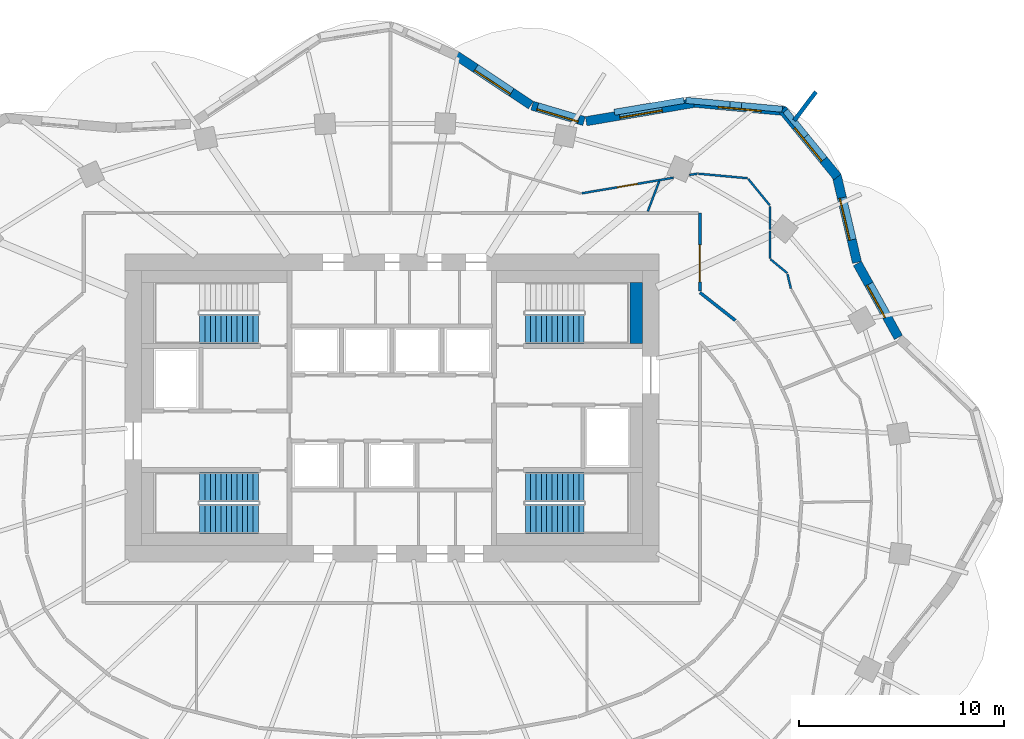
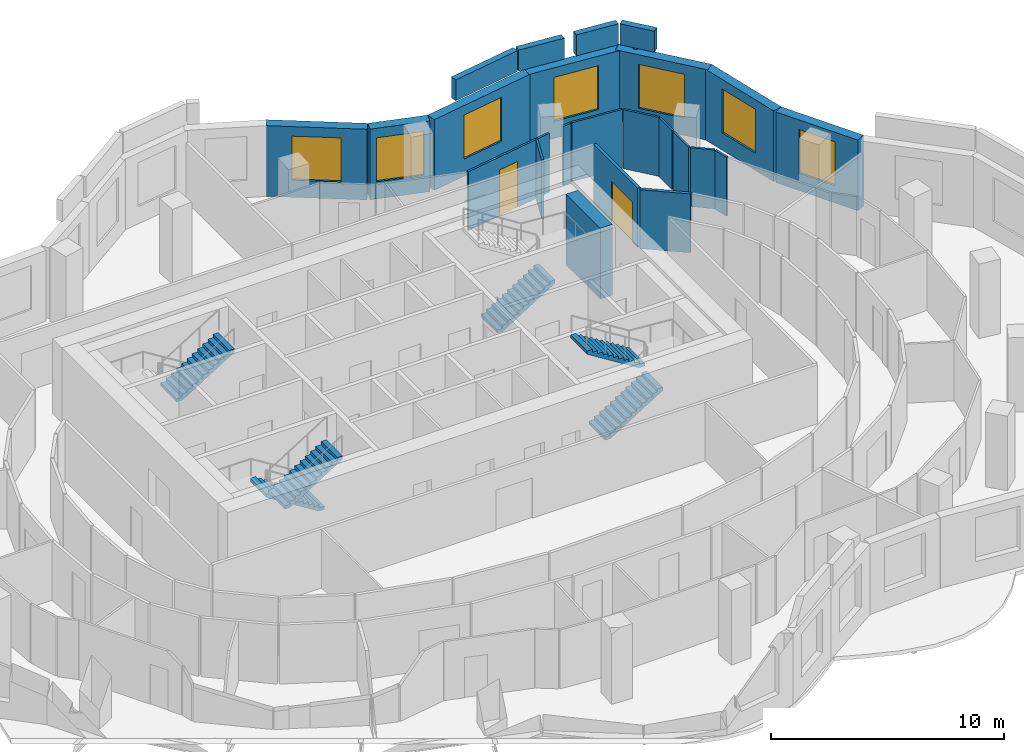
# One storey, part 9 of 11: 24 walls, 7 windows, 6 stair flights, 2 doors, 9 openings, 4 elements without a shape of their own.
"""IFC4 building model written with IfcOpenShell, lengths in metres."""

from ifc_helpers import new_model, si_unit, direction, frame, frame_2d, origin, place, context, subcontext, project, spatial, polyline, rectangle, outline, extrude, material, layer, layer_set, type_object, element, fill, aggregate, save


model = new_model("IFC4")

# Units and contexts
model_context = context("Model", 3, precision=1e-05, world=origin(), true_north=direction((0.0, 1.0)))
body_context = subcontext(model_context, "Body", "Model", "MODEL_VIEW")
ifc_project = project(units=[si_unit("LENGTHUNIT", "METRE"), si_unit("AREAUNIT", "SQUARE_METRE"), si_unit("VOLUMEUNIT", "CUBIC_METRE"), si_unit("PLANEANGLEUNIT", "RADIAN"), si_unit("MASSUNIT", "GRAM", prefix="KILO")], contexts=[model_context])

# Site, building, storey
site_placement = place(None, origin())
site = spatial("IfcSite", under=ifc_project, at=site_placement, CompositionType="ELEMENT")
building_placement = place(site_placement, origin())
building = spatial("IfcBuilding", under=site, at=building_placement, Name="Rubra Terraces Tower", CompositionType="ELEMENT")
storey_placement = place(building_placement, frame((0.0, 0.0, 185.699951171875)))
storey = spatial("IfcBuildingStorey", under=building, at=storey_placement, Name="L45", CompositionType="ELEMENT", Elevation=185.699951171875)

# Wall, opening, window
ifc_material_1 = material(Name="Brick masonry red-brown", Category="masonry")
ifc_layer_1 = layer(ifc_material_1, 0.449951171875)
ifc_layer_set_1 = layer_set([ifc_layer_1], Name="Brick masonry red-brown")
wall_type_1 = type_object("IfcWallType", Name="Brick facade wall 450", PredefinedType="SOLIDWALL", material=ifc_layer_set_1)
wall_1_placement = place(storey_placement, frame((24.662109375, 7.93896484375, 0.0), z_axis=(0.0, 0.0, 1.0), x_axis=(-0.485153910721, 0.874428775208, 0.0)))
wall_1 = element("IfcWall", 1, at=wall_1_placement, inside=storey, type_object=wall_type_1, Name="Facade wall L45 bay 3", PredefinedType="SOLIDWALL", context=body_context, shape_type="SweptSolid", body=[
    extrude(rectangle(XDim=4.1123046875, YDim=0.449951171875, at=frame_2d((2.05615234375, 0.0))), origin(), (0.0, 0.0, 1.0), 3.699951171875),
])
opening_1_placement = place(wall_1_placement, frame((1.15625, 0.0, 0.89990234375)))
opening_1 = element("IfcOpeningElement", 2, at=opening_1_placement, cuts=wall_1, Name="Opening W6B", PredefinedType="OPENING", context=body_context, shape_type="SweptSolid", body=[
    extrude(rectangle(XDim=1.800048828125, YDim=2.300048828125, at=frame_2d((0.89990234375, 1.14990234375))), frame((0.0, 0.23486328125, 0.0), z_axis=(0.0, -1.0, 0.0), x_axis=(1.0, 0.0, 0.0)), (0.0, 0.0, 1.0), 0.469970703125),
])
ifc_material_2 = material(Name="Clear glass in aluminium frame", Category="aluminium")
window_type_1 = type_object("IfcWindowType", Name="Fixed deep-set window at wind fin tall storey 1800 x 2300", PartitioningType="SINGLE_PANEL", PredefinedType="WINDOW", material=ifc_material_2)
window_1_placement = place(opening_1_placement, origin())
window_1 = element("IfcWindow", 3, at=window_1_placement, inside=storey, type_object=window_type_1, Name="Window L45 bay 3", OverallHeight=2.300048828125, OverallWidth=1.800048828125, PartitioningType="SINGLE_PANEL", PredefinedType="WINDOW", context=body_context, shape_type="SweptSolid", body=[
    extrude(rectangle(XDim=1.800048828125, YDim=2.300048828125, at=frame_2d((0.89990234375, 1.14990234375))), frame((0.0, 0.135009765625, 0.0), z_axis=(0.0, -1.0, 0.0), x_axis=(1.0, 0.0, 0.0)), (0.0, 0.0, 1.0), 0.06005859375),
])
fill(opening_1, window_1)

wall_2_placement = place(storey_placement, frame((22.646484375, 11.5859375, 0.0), z_axis=(0.0, 0.0, 1.0), x_axis=(-0.227925124198, 0.973678662475, 0.0)))
wall_2 = element("IfcWall", 4, at=wall_2_placement, inside=storey, type_object=wall_type_1, Name="Facade wall L45 bay 4", PredefinedType="SOLIDWALL", context=body_context, shape_type="SweptSolid", body=[
    extrude(rectangle(XDim=4.360595703125, YDim=0.449951171875, at=frame_2d((2.18017578125, 0.0))), origin(), (0.0, 0.0, 1.0), 3.699951171875),
])
opening_2_placement = place(wall_2_placement, frame((1.13037109375, 0.0, 0.89990234375)))
opening_2 = element("IfcOpeningElement", 5, at=opening_2_placement, cuts=wall_2, Name="Opening W1B", PredefinedType="OPENING", context=body_context, shape_type="SweptSolid", body=[
    extrude(rectangle(XDim=2.10009765625, YDim=2.300048828125, at=frame_2d((1.050048828125, 1.14990234375))), frame((0.0, 0.23486328125, 0.0), z_axis=(0.0, -1.0, 0.0), x_axis=(1.0, 0.0, 0.0)), (0.0, 0.0, 1.0), 0.469970703125),
])
window_type_2 = type_object("IfcWindowType", Name="Fixed deep-set window tall storey 2100 x 2300", PartitioningType="SINGLE_PANEL", PredefinedType="WINDOW", material=ifc_material_2)
window_2_placement = place(opening_2_placement, origin())
window_2 = element("IfcWindow", 6, at=window_2_placement, inside=storey, type_object=window_type_2, Name="Window L45 bay 4", OverallHeight=2.300048828125, OverallWidth=2.10009765625, PartitioningType="SINGLE_PANEL", PredefinedType="WINDOW", context=body_context, shape_type="SweptSolid", body=[
    extrude(rectangle(XDim=2.10009765625, YDim=2.300048828125, at=frame_2d((1.050048828125, 1.14990234375))), frame((0.0, 0.135009765625, 0.0), z_axis=(0.0, -1.0, 0.0), x_axis=(1.0, 0.0, 0.0)), (0.0, 0.0, 1.0), 0.06005859375),
])
fill(opening_2, window_2)

wall_3_placement = place(storey_placement, frame((21.69580078125, 15.74755859375, 0.0), z_axis=(0.0, 0.0, 1.0), x_axis=(-0.632968710519, 0.774177377288, 0.0)))
wall_3 = element("IfcWall", 7, at=wall_3_placement, inside=storey, type_object=wall_type_1, Name="Facade wall L45 bay 5", PredefinedType="SOLIDWALL", context=body_context, shape_type="SweptSolid", body=[
    extrude(rectangle(XDim=4.249755859375, YDim=0.449951171875, at=frame_2d((2.125, 0.0))), origin(), (0.0, 0.0, 1.0), 3.699951171875),
])
opening_3_placement = place(wall_3_placement, frame((1.074951171875, 0.0, 0.89990234375)))
opening_3 = element("IfcOpeningElement", 8, at=opening_3_placement, cuts=wall_3, Name="Opening W1B", PredefinedType="OPENING", context=body_context, shape_type="SweptSolid", body=[
    extrude(rectangle(XDim=2.10009765625, YDim=2.300048828125, at=frame_2d((1.050048828125, 1.14990234375))), frame((0.0, 0.23486328125, 0.0), z_axis=(0.0, -1.0, 0.0), x_axis=(1.0, 0.0, 0.0)), (0.0, 0.0, 1.0), 0.469970703125),
])
window_3_placement = place(opening_3_placement, origin())
window_3 = element("IfcWindow", 9, at=window_3_placement, inside=storey, type_object=window_type_2, Name="Window L45 bay 5", OverallHeight=2.300048828125, OverallWidth=2.10009765625, PartitioningType="SINGLE_PANEL", PredefinedType="WINDOW", context=body_context, shape_type="SweptSolid", body=[
    extrude(rectangle(XDim=2.10009765625, YDim=2.300048828125, at=frame_2d((1.050048828125, 1.14990234375))), frame((0.0, 0.135009765625, 0.0), z_axis=(0.0, -1.0, 0.0), x_axis=(1.0, 0.0, 0.0)), (0.0, 0.0, 1.0), 0.06005859375),
])
fill(opening_3, window_3)

wall_4_placement = place(storey_placement, frame((19.1591796875, 18.955810546875, 0.0), z_axis=(0.0, 0.0, 1.0), x_axis=(-0.995777399421, 0.091800712424, 0.0)))
wall_4 = element("IfcWall", 10, at=wall_4_placement, inside=storey, type_object=wall_type_1, Name="Facade wall L45 bay 6", PredefinedType="SOLIDWALL", context=body_context, shape_type="SweptSolid", body=[
    extrude(rectangle(XDim=4.45458984375, YDim=0.449951171875, at=frame_2d((2.227294921875, 0.0))), origin(), (0.0, 0.0, 1.0), 3.699951171875),
])
opening_4_placement = place(wall_4_placement, frame((1.177490234375, 0.0, 0.89990234375)))
opening_4 = element("IfcOpeningElement", 11, at=opening_4_placement, cuts=wall_4, Name="Opening W1B", PredefinedType="OPENING", context=body_context, shape_type="SweptSolid", body=[
    extrude(rectangle(XDim=2.10009765625, YDim=2.300048828125, at=frame_2d((1.050048828125, 1.14990234375))), frame((0.0, 0.23486328125, 0.0), z_axis=(0.0, -1.0, 0.0), x_axis=(1.0, 0.0, 0.0)), (0.0, 0.0, 1.0), 0.469970703125),
])
window_4_placement = place(opening_4_placement, origin())
window_4 = element("IfcWindow", 12, at=window_4_placement, inside=storey, type_object=window_type_2, Name="Window L45 bay 6", OverallHeight=2.300048828125, OverallWidth=2.10009765625, PartitioningType="SINGLE_PANEL", PredefinedType="WINDOW", context=body_context, shape_type="SweptSolid", body=[
    extrude(rectangle(XDim=2.10009765625, YDim=2.300048828125, at=frame_2d((1.050048828125, 1.14990234375))), frame((0.0, 0.135009765625, 0.0), z_axis=(0.0, -1.0, 0.0), x_axis=(1.0, 0.0, 0.0)), (0.0, 0.0, 1.0), 0.06005859375),
])
fill(opening_4, window_4)

wall_5_placement = place(storey_placement, frame((14.78173828125, 19.366943359375, 0.0), z_axis=(0.0, 0.0, 1.0), x_axis=(-0.98585584667, -0.167595493934, 0.0)))
wall_5 = element("IfcWall", 13, at=wall_5_placement, inside=storey, type_object=wall_type_1, Name="Facade wall L45 bay 7", PredefinedType="SOLIDWALL", context=body_context, shape_type="SweptSolid", body=[
    extrude(rectangle(XDim=5.398681640625, YDim=0.449951171875, at=frame_2d((2.69921875, 0.0))), origin(), (0.0, 0.0, 1.0), 3.699951171875),
])
opening_5_placement = place(wall_5_placement, frame((1.6494140625, 0.0, 0.89990234375)))
opening_5 = element("IfcOpeningElement", 14, at=opening_5_placement, cuts=wall_5, Name="Opening W1B", PredefinedType="OPENING", context=body_context, shape_type="SweptSolid", body=[
    extrude(rectangle(XDim=2.10009765625, YDim=2.300048828125, at=frame_2d((1.050048828125, 1.14990234375))), frame((0.0, 0.23486328125, 0.0), z_axis=(0.0, -1.0, 0.0), x_axis=(1.0, 0.0, 0.0)), (0.0, 0.0, 1.0), 0.469970703125),
])
window_5_placement = place(opening_5_placement, origin())
window_5 = element("IfcWindow", 15, at=window_5_placement, inside=storey, type_object=window_type_2, Name="Window L45 bay 7", OverallHeight=2.300048828125, OverallWidth=2.10009765625, PartitioningType="SINGLE_PANEL", PredefinedType="WINDOW", context=body_context, shape_type="SweptSolid", body=[
    extrude(rectangle(XDim=2.10009765625, YDim=2.300048828125, at=frame_2d((1.050048828125, 1.14990234375))), frame((0.0, 0.135009765625, 0.0), z_axis=(0.0, -1.0, 0.0), x_axis=(1.0, 0.0, 0.0)), (0.0, 0.0, 1.0), 0.06005859375),
])
fill(opening_5, window_5)

wall_6_placement = place(storey_placement, frame((9.357421875, 18.468505859375, 0.0), z_axis=(0.0, 0.0, 1.0), x_axis=(-0.958524054629, 0.285011643091, 0.0)))
wall_6 = element("IfcWall", 16, at=wall_6_placement, inside=storey, type_object=wall_type_1, Name="Facade wall L45 bay 8", PredefinedType="SOLIDWALL", context=body_context, shape_type="SweptSolid", body=[
    extrude(rectangle(XDim=2.637451171875, YDim=0.449951171875, at=frame_2d((1.31884765625, 0.0))), origin(), (0.0, 0.0, 1.0), 3.699951171875),
])
opening_6_placement = place(wall_6_placement, frame((0.268798828125, 0.0, 0.89990234375)))
opening_6 = element("IfcOpeningElement", 17, at=opening_6_placement, cuts=wall_6, Name="Opening W1B", PredefinedType="OPENING", context=body_context, shape_type="SweptSolid", body=[
    extrude(rectangle(XDim=2.10009765625, YDim=2.300048828125, at=frame_2d((1.050048828125, 1.14990234375))), frame((0.0, 0.23486328125, 0.0), z_axis=(0.0, -1.0, 0.0), x_axis=(1.0, 0.0, 0.0)), (0.0, 0.0, 1.0), 0.469970703125),
])
window_6_placement = place(opening_6_placement, origin())
window_6 = element("IfcWindow", 18, at=window_6_placement, inside=storey, type_object=window_type_2, Name="Window L45 bay 8", OverallHeight=2.300048828125, OverallWidth=2.10009765625, PartitioningType="SINGLE_PANEL", PredefinedType="WINDOW", context=body_context, shape_type="SweptSolid", body=[
    extrude(rectangle(XDim=2.10009765625, YDim=2.300048828125, at=frame_2d((1.050048828125, 1.14990234375))), frame((0.0, 0.135009765625, 0.0), z_axis=(0.0, -1.0, 0.0), x_axis=(1.0, 0.0, 0.0)), (0.0, 0.0, 1.0), 0.06005859375),
])
fill(opening_6, window_6)

wall_7_placement = place(storey_placement, frame((6.76904296875, 19.248291015625, 0.0), z_axis=(0.0, 0.0, 1.0), x_axis=(-0.832973379274, 0.553313066375, 0.0)))
wall_7 = element("IfcWall", 19, at=wall_7_placement, inside=storey, type_object=wall_type_1, Name="Facade wall L45 bay 9", PredefinedType="SOLIDWALL", context=body_context, shape_type="SweptSolid", body=[
    extrude(rectangle(XDim=4.348388671875, YDim=0.449951171875, at=frame_2d((2.17431640625, 0.0))), origin(), (0.0, 0.0, 1.0), 3.699951171875),
])
opening_7_placement = place(wall_7_placement, frame((1.1240234375, 0.0, 0.89990234375)))
opening_7 = element("IfcOpeningElement", 20, at=opening_7_placement, cuts=wall_7, Name="Opening W1B", PredefinedType="OPENING", context=body_context, shape_type="SweptSolid", body=[
    extrude(rectangle(XDim=2.10009765625, YDim=2.300048828125, at=frame_2d((1.050048828125, 1.14990234375))), frame((0.0, 0.23486328125, 0.0), z_axis=(0.0, -1.0, 0.0), x_axis=(1.0, 0.0, 0.0)), (0.0, 0.0, 1.0), 0.469970703125),
])
window_7_placement = place(opening_7_placement, origin())
window_7 = element("IfcWindow", 21, at=window_7_placement, inside=storey, type_object=window_type_2, Name="Window L45 bay 9", OverallHeight=2.300048828125, OverallWidth=2.10009765625, PartitioningType="SINGLE_PANEL", PredefinedType="WINDOW", context=body_context, shape_type="SweptSolid", body=[
    extrude(rectangle(XDim=2.10009765625, YDim=2.300048828125, at=frame_2d((1.050048828125, 1.14990234375))), frame((0.0, 0.135009765625, 0.0), z_axis=(0.0, -1.0, 0.0), x_axis=(1.0, 0.0, 0.0)), (0.0, 0.0, 1.0), 0.06005859375),
])
fill(opening_7, window_7)

# Walls
ifc_layer_2 = layer(ifc_material_1, 0.300048828125)
ifc_layer_set_2 = layer_set([ifc_layer_2], Name="Brick masonry red-brown")
wall_type_2 = type_object("IfcWallType", Name="Brick parapet 300", PredefinedType="PARAPET", material=ifc_layer_set_2)
wall_8_placement = place(storey_placement, frame((20.16845703125, 17.734130859375, 3.900146484375), z_axis=(0.0, 0.0, 1.0), x_axis=(-0.632995189145, 0.774155727564, 0.0)))
element("IfcWall", 22, at=wall_8_placement, inside=storey, type_object=wall_type_2, Name="Parapet L45 bay 5", PredefinedType="PARAPET", context=body_context, shape_type="SweptSolid", body=[
    extrude(rectangle(XDim=1.58935546875, YDim=0.300048828125, at=frame_2d((0.794677734375, 0.0))), origin(), (0.0, 0.0, 1.0), 1.099853515625),
])
wall_9_placement = place(storey_placement, frame((19.01123046875, 19.044921875, 3.900146484375), z_axis=(0.0, 0.0, 1.0), x_axis=(-0.995779953678, 0.09177300176, 0.0)))
element("IfcWall", 23, at=wall_9_placement, inside=storey, type_object=wall_type_2, Name="Parapet L45 bay 6", PredefinedType="PARAPET", context=body_context, shape_type="SweptSolid", body=[
    extrude(rectangle(XDim=1.992431640625, YDim=0.300048828125, at=frame_2d((0.99609375, 0.0))), origin(), (0.0, 0.0, 1.0), 1.099853515625),
])
wall_10_placement = place(storey_placement, frame((16.461669921875, 19.27978515625, 3.900146484375), z_axis=(0.0, 0.0, 1.0), x_axis=(-0.995778015376, 0.091794030816, 0.0)))
element("IfcWall", 24, at=wall_10_placement, inside=storey, type_object=wall_type_2, Name="Parapet L45 bay 6.2", PredefinedType="PARAPET", context=body_context, shape_type="SweptSolid", body=[
    extrude(rectangle(XDim=2.151611328125, YDim=0.300048828125, at=frame_2d((1.07568359375, 0.0))), origin(), (0.0, 0.0, 1.0), 1.099853515625),
])
wall_11_placement = place(storey_placement, frame((14.220947265625, 19.473388671875, 3.900146484375), z_axis=(0.0, 0.0, 1.0), x_axis=(-0.985864880964, -0.167542342353, 0.0)))
element("IfcWall", 25, at=wall_11_placement, inside=storey, type_object=wall_type_2, Name="Parapet L45 bay 7", PredefinedType="PARAPET", context=body_context, shape_type="SweptSolid", body=[
    extrude(rectangle(XDim=3.4375, YDim=0.300048828125, at=frame_2d((1.71875, 0.0))), origin(), (0.0, 0.0, 1.0), 1.099853515625),
])
ifc_layer_3 = layer(ifc_material_1, 0.199951171875)
ifc_layer_set_3 = layer_set([ifc_layer_3], Name="Brick masonry red-brown")
wall_type_3 = type_object("IfcWallType", Name="Brick wind fin 200", PredefinedType="SOLIDWALL", material=ifc_layer_set_3)
wall_12_placement = place(storey_placement, frame((19.591064453125, 18.498046875, 0.0), z_axis=(0.0, 0.0, 1.0), x_axis=(0.603387525063, 0.797448114048, 0.0)))
element("IfcWall", 26, at=wall_12_placement, inside=storey, type_object=wall_type_3, Name="Wind fin L45 3", PredefinedType="SOLIDWALL", context=body_context, shape_type="SweptSolid", body=[
    extrude(rectangle(XDim=1.75, YDim=0.199951171875, at=frame_2d((0.875, 0.0))), origin(), (0.0, 0.0, 1.0), 3.699951171875),
])
ifc_material_3 = material(Name="Plasterboard on steel stud, mineral wool infill", Category="steel")
ifc_layer_4 = layer(ifc_material_3, 0.14990234375)
ifc_layer_set_4 = layer_set([ifc_layer_4], Name="Plasterboard on steel stud, mineral wool infill")
wall_type_4 = type_object("IfcWallType", Name="CORRIDOR PARTITION 150", PredefinedType="PARTITIONING", material=ifc_layer_set_4)
wall_13_placement = place(storey_placement, frame((16.723876953125, 8.761474609375, 0.0), z_axis=(0.0, 0.0, 1.0), x_axis=(-0.785124633057, 0.619337800047, 0.0)))
element("IfcWall", 27, at=wall_13_placement, inside=storey, type_object=wall_type_4, Name="PARTITION", PredefinedType="PARTITIONING", context=body_context, shape_type="SweptSolid", body=[
    extrude(rectangle(XDim=2.195556640625, YDim=0.14990234375, at=frame_2d((1.09765625, 0.0))), origin(), (0.0, 0.0, 1.0), 3.083984375),
])

# Wall, opening, door
wall_14_placement = place(storey_placement, frame((15.0, 10.1962890625, 0.0), z_axis=(0.0, 0.0, 1.0), x_axis=(0.0, 1.0, 0.0)))
wall_14 = element("IfcWall", 28, at=wall_14_placement, inside=storey, type_object=wall_type_4, Name="PARTITION", PredefinedType="PARTITIONING", context=body_context, shape_type="SweptSolid", body=[
    extrude(rectangle(XDim=3.8037109375, YDim=0.14990234375, at=frame_2d((1.90185546875, 0.0))), origin(), (0.0, 0.0, 1.0), 3.083984375),
])
opening_8_placement = place(wall_14_placement, frame((0.449951171875, 0.0, 0.0)))
opening_8 = element("IfcOpeningElement", 29, at=opening_8_placement, cuts=wall_14, Name="Opening 45-116", PredefinedType="OPENING", context=body_context, shape_type="SweptSolid", body=[
    extrude(rectangle(XDim=1.800048828125, YDim=2.10009765625, at=frame_2d((0.89990234375, 1.050048828125))), frame((0.0, 0.0849609375, 0.0), z_axis=(0.0, -1.0, 0.0), x_axis=(1.0, 0.0, 0.0)), (0.0, 0.0, 1.0), 0.169921875),
])
ifc_material_4 = material(Name="Painted timber door leaf, double", Category="wood")
door_type_1 = type_object("IfcDoorType", Name="ROOM DOUBLE DOOR 1800 X 2100", OperationType="DOUBLE_DOOR_SINGLE_SWING", PredefinedType="DOOR", material=ifc_material_4)
door_1_placement = place(opening_8_placement, origin())
door_1 = element("IfcDoor", 30, at=door_1_placement, inside=storey, type_object=door_type_1, Name="DOOR 45-116", OperationType="DOUBLE_DOOR_SINGLE_SWING", OverallHeight=2.10009765625, OverallWidth=1.800048828125, PredefinedType="DOOR", context=body_context, shape_type="SweptSolid", body=[
    extrude(rectangle(XDim=1.800048828125, YDim=2.10009765625, at=frame_2d((0.89990234375, 1.050048828125))), frame((0.0, 0.02490234375, 0.0), z_axis=(0.0, -1.0, 0.0), x_axis=(1.0, 0.0, 0.0)), (0.0, 0.0, 1.0), 0.050048828125),
])
fill(opening_8, door_1)

# Wall
ifc_material_5 = material(Name="Concrete C40", Category="concrete")
ifc_layer_5 = layer(ifc_material_5, 0.60009765625)
ifc_layer_set_5 = layer_set([ifc_layer_5], Name="Concrete C40")
wall_type_5 = type_object("IfcWallType", Name="Core lining wall 600 concrete", PredefinedType="SOLIDWALL", material=ifc_layer_set_5)
wall_15_placement = place(storey_placement, frame((11.89990234375, 10.60009765625, 0.0), z_axis=(0.0, 0.0, 1.0), x_axis=(0.0, -1.0, 0.0)))
element("IfcWall", 31, at=wall_15_placement, inside=storey, type_object=wall_type_5, Name="CORE LINING WALL L45", PredefinedType="SOLIDWALL", context=body_context, shape_type="SweptSolid", body=[
    extrude(rectangle(XDim=2.9501953125, YDim=0.60009765625, at=frame_2d((1.47509765625, 0.0))), origin(), (0.0, 0.0, 1.0), 3.699951171875),
])

# Wall, opening, door
ifc_material_6 = material(Name="Plasterboard on steel stud", Category="steel")
ifc_layer_6 = layer(ifc_material_6, 0.10009765625)
ifc_layer_set_6 = layer_set([ifc_layer_6], Name="Plasterboard on steel stud")
wall_type_6 = type_object("IfcWallType", Name="ROOM PARTITION 100", PredefinedType="PARTITIONING", material=ifc_layer_set_6)
wall_16_placement = place(storey_placement, frame((9.2451171875, 14.95166015625, 0.0), z_axis=(0.0, 0.0, 1.0), x_axis=(0.985863233989, 0.167552033319, 0.0)))
wall_16 = element("IfcWall", 32, at=wall_16_placement, inside=storey, type_object=wall_type_6, Name="PARTITION", PredefinedType="PARTITIONING", context=body_context, shape_type="SweptSolid", body=[
    extrude(rectangle(XDim=4.531494140625, YDim=0.10009765625, at=frame_2d((2.265625, 0.0))), origin(), (0.0, 0.0, 1.0), 3.083984375),
])
opening_9_placement = place(wall_16_placement, frame((1.75, 0.0, 0.0)))
opening_9 = element("IfcOpeningElement", 33, at=opening_9_placement, cuts=wall_16, Name="Opening 45-122", PredefinedType="OPENING", context=body_context, shape_type="SweptSolid", body=[
    extrude(rectangle(XDim=1.0, YDim=2.39990234375, at=frame_2d((0.5, 1.199951171875))), frame((0.0, 0.06005859375, 0.0), z_axis=(0.0, -1.0, 0.0), x_axis=(1.0, 0.0, 0.0)), (0.0, 0.0, 1.0), 0.1201171875),
])
ifc_material_7 = material(Name="Glazed aluminium meeting door leaf", Category="aluminium")
door_type_2 = type_object("IfcDoorType", Name="MEETING ROOM GLAZED DOOR 1000 X 2400", OperationType="SINGLE_SWING_LEFT", PredefinedType="DOOR", material=ifc_material_7)
door_2_placement = place(opening_9_placement, origin())
door_2 = element("IfcDoor", 34, at=door_2_placement, inside=storey, type_object=door_type_2, Name="DOOR 45-122", OperationType="SINGLE_SWING_RIGHT", OverallHeight=2.39990234375, OverallWidth=1.0, PredefinedType="DOOR", context=body_context, shape_type="SweptSolid", body=[
    extrude(rectangle(XDim=1.0, YDim=2.39990234375, at=frame_2d((0.5, 1.199951171875))), frame((0.0, 0.02490234375, 0.0), z_axis=(0.0, -1.0, 0.0), x_axis=(1.0, 0.0, 0.0)), (0.0, 0.0, 1.0), 0.050048828125),
])
fill(opening_9, door_2)

# Walls
wall_17_placement = place(storey_placement, frame((14.48193359375, 15.841796875, 0.0), z_axis=(0.0, 0.0, 1.0), x_axis=(0.985806446381, 0.167885825111, 0.0)))
element("IfcWall", 35, at=wall_17_placement, inside=storey, type_object=wall_type_6, Name="PARTITION", PredefinedType="PARTITIONING", context=body_context, shape_type="SweptSolid", body=[
    extrude(rectangle(XDim=0.40869140625, YDim=0.10009765625, at=frame_2d((0.204345703125, 0.0))), origin(), (0.0, 0.0, 1.0), 3.083984375),
])
wall_18_placement = place(storey_placement, frame((14.9345703125, 15.90576171875, 0.0), z_axis=(0.0, 0.0, 1.0), x_axis=(0.995783150827, -0.09173830459, 0.0)))
element("IfcWall", 36, at=wall_18_placement, inside=storey, type_object=wall_type_6, Name="PARTITION", PredefinedType="PARTITIONING", context=body_context, shape_type="SweptSolid", body=[
    extrude(rectangle(XDim=2.397705078125, YDim=0.10009765625, at=frame_2d((1.19873046875, 0.0))), origin(), (0.0, 0.0, 1.0), 3.083984375),
])
wall_19_placement = place(storey_placement, frame((17.35400390625, 15.64697265625, 0.0), z_axis=(0.0, 0.0, 1.0), x_axis=(0.632948103301, -0.774194225326, 0.0)))
element("IfcWall", 37, at=wall_19_placement, inside=storey, type_object=wall_type_6, Name="PARTITION", PredefinedType="PARTITIONING", context=body_context, shape_type="SweptSolid", body=[
    extrude(rectangle(XDim=1.65234375, YDim=0.10009765625, at=frame_2d((0.826171875, 0.0))), origin(), (0.0, 0.0, 1.0), 3.083984375),
])
wall_20_placement = place(storey_placement, frame((18.39990234375, 14.317626953125, 0.0), z_axis=(0.0, 0.0, 1.0), x_axis=(0.0, -1.0, 0.0)))
element("IfcWall", 38, at=wall_20_placement, inside=storey, type_object=wall_type_6, Name="PARTITION", PredefinedType="PARTITIONING", context=body_context, shape_type="SweptSolid", body=[
    extrude(rectangle(XDim=1.12744140625, YDim=0.10009765625, at=frame_2d((0.563720703125, 0.0))), origin(), (0.0, 0.0, 1.0), 3.083984375),
])
wall_21_placement = place(storey_placement, frame((18.39990234375, 13.108154296875, 0.0), z_axis=(0.0, 0.0, 1.0), x_axis=(0.0, -1.0, 0.0)))
element("IfcWall", 39, at=wall_21_placement, inside=storey, type_object=wall_type_6, Name="PARTITION", PredefinedType="PARTITIONING", context=body_context, shape_type="SweptSolid", body=[
    extrude(rectangle(XDim=1.33837890625, YDim=0.10009765625, at=frame_2d((0.669189453125, 0.0))), origin(), (0.0, 0.0, 1.0), 3.083984375),
])
wall_22_placement = place(storey_placement, frame((18.4384765625, 11.73779296875, 0.0), z_axis=(0.0, 0.0, 1.0), x_axis=(0.77057087269, -0.637354320737, 0.0)))
element("IfcWall", 40, at=wall_22_placement, inside=storey, type_object=wall_type_6, Name="PARTITION", PredefinedType="PARTITIONING", context=body_context, shape_type="SweptSolid", body=[
    extrude(rectangle(XDim=1.0537109375, YDim=0.10009765625, at=frame_2d((0.52685546875, 0.0))), origin(), (0.0, 0.0, 1.0), 3.083984375),
])
wall_23_placement = place(storey_placement, frame((19.261962890625, 11.017333984375, 0.0), z_axis=(0.0, 0.0, 1.0), x_axis=(0.228055604604, -0.973648109539, 0.0)))
element("IfcWall", 41, at=wall_23_placement, inside=storey, type_object=wall_type_6, Name="PARTITION", PredefinedType="PARTITIONING", context=body_context, shape_type="SweptSolid", body=[
    extrude(rectangle(XDim=0.719482421875, YDim=0.10009765625, at=frame_2d((0.35986328125, 0.0))), origin(), (0.0, 0.0, 1.0), 3.083984375),
])
wall_24_placement = place(storey_placement, frame((12.458251953125, 14.070068359375, 0.0), z_axis=(0.0, 0.0, 1.0), x_axis=(0.3557324153, 0.934587849645, 0.0)))
element("IfcWall", 42, at=wall_24_placement, inside=storey, type_object=wall_type_6, Name="PARTITION", PredefinedType="PARTITIONING", context=body_context, shape_type="SweptSolid", body=[
    extrude(rectangle(XDim=1.583251953125, YDim=0.10009765625, at=frame_2d((0.79150390625, 0.0))), origin(), (0.0, 0.0, 1.0), 3.083984375),
])

# Stair, stair flights
stair_type = type_object("IfcStairType", Name="Core stair 1400", PredefinedType="HALF_TURN_STAIR", material=ifc_material_5)
stair_1_placement = place(storey_placement, origin())
stair_1 = element("IfcStair", 43, at=stair_1_placement, inside=storey, type_object=stair_type, Name="L45 Exit stair S1", PredefinedType="HALF_TURN_STAIR")
stair_flight_type = type_object("IfcStairFlightType", Name="Core stair flight 1400", PredefinedType="STRAIGHT", material=ifc_material_5)
stair_flight_1_placement = place(storey_placement, frame((-6.5, 0.64990234375, 0.0), z_axis=(0.0, 0.0, 1.0), x_axis=(-1.0, 0.0, 0.0)))
stair_flight_1 = element("IfcStairFlight", 44, at=stair_flight_1_placement, type_object=stair_flight_type, Name="S1 flight 1", NumberOfRisers=12, NumberOfTreads=11, PredefinedType="STRAIGHT", RiserHeight=0.1625, TreadLength=0.26, context=body_context, shape_type="SweptSolid", body=[
    extrude(outline(polyline([(0.0, 0.0), (0.0, 0.16259765625), (0.260009765625, 0.16259765625), (0.260009765625, 0.324951171875), (0.52001953125, 0.324951171875), (0.52001953125, 0.487548828125), (0.780029296875, 0.487548828125), (0.780029296875, 0.64990234375), (1.0400390625, 0.64990234375), (1.0400390625, 0.8125), (1.300048828125, 0.8125), (1.300048828125, 0.97509765625), (1.56005859375, 0.97509765625), (1.56005859375, 1.137451171875), (1.820068359375, 1.137451171875), (1.820068359375, 1.300048828125), (2.080078125, 1.300048828125), (2.080078125, 1.46240234375), (2.340087890625, 1.46240234375), (2.340087890625, 1.625), (2.60009765625, 1.625), (2.60009765625, 1.78759765625), (2.860107421875, 1.78759765625), (2.860107421875, 1.949951171875), (2.860107421875, 1.61083984375), (0.28271484375, 0.0), (0.0, 0.0)])), frame((0.0, 0.699951171875, 0.0), z_axis=(0.0, -1.0, 0.0), x_axis=(1.0, 0.0, 0.0)), (0.0, 0.0, 1.0), 1.39990234375),
])
stair_flight_2_placement = place(storey_placement, frame((-9.360107421875, -0.89990234375, 1.949951171875), z_axis=(0.0, 0.0, 1.0), x_axis=(1.0, 0.0, 0.0)))
stair_flight_2 = element("IfcStairFlight", 45, at=stair_flight_2_placement, type_object=stair_flight_type, Name="S1 flight 2", NumberOfRisers=12, NumberOfTreads=11, PredefinedType="STRAIGHT", RiserHeight=0.1625, TreadLength=0.26, context=body_context, shape_type="SweptSolid", body=[
    extrude(outline(polyline([(0.0, 0.0), (0.0, 0.16259765625), (0.260009765625, 0.16259765625), (0.260009765625, 0.324951171875), (0.52001953125, 0.324951171875), (0.52001953125, 0.487548828125), (0.780029296875, 0.487548828125), (0.780029296875, 0.64990234375), (1.0400390625, 0.64990234375), (1.0400390625, 0.8125), (1.300048828125, 0.8125), (1.300048828125, 0.97509765625), (1.56005859375, 0.97509765625), (1.56005859375, 1.137451171875), (1.820068359375, 1.137451171875), (1.820068359375, 1.300048828125), (2.080078125, 1.300048828125), (2.080078125, 1.46240234375), (2.340087890625, 1.46240234375), (2.340087890625, 1.625), (2.60009765625, 1.625), (2.60009765625, 1.78759765625), (2.860107421875, 1.78759765625), (2.860107421875, 1.949951171875), (2.860107421875, 1.61083984375), (0.28271484375, 0.0), (0.0, 0.0)])), frame((0.0, 0.699951171875, 0.0), z_axis=(0.0, -1.0, 0.0), x_axis=(1.0, 0.0, 0.0)), (0.0, 0.0, 1.0), 1.39990234375),
])
aggregate(stair_1, [stair_flight_1, stair_flight_2])

# Stair, stair flight
stair_2_placement = place(storey_placement, origin())
stair_2 = element("IfcStair", 46, at=stair_2_placement, inside=storey, type_object=stair_type, Name="L45 Exit stair S2", PredefinedType="HALF_TURN_STAIR")
stair_flight_3_placement = place(storey_placement, frame((-9.360107421875, 8.35009765625, 1.949951171875), z_axis=(0.0, 0.0, 1.0), x_axis=(1.0, 0.0, 0.0)))
stair_flight_3 = element("IfcStairFlight", 47, at=stair_flight_3_placement, type_object=stair_flight_type, Name="S2 flight 2", NumberOfRisers=12, NumberOfTreads=11, PredefinedType="STRAIGHT", RiserHeight=0.1625, TreadLength=0.26, context=body_context, shape_type="SweptSolid", body=[
    extrude(outline(polyline([(0.0, 0.0), (0.0, 0.16259765625), (0.260009765625, 0.16259765625), (0.260009765625, 0.324951171875), (0.52001953125, 0.324951171875), (0.52001953125, 0.487548828125), (0.780029296875, 0.487548828125), (0.780029296875, 0.64990234375), (1.0400390625, 0.64990234375), (1.0400390625, 0.8125), (1.300048828125, 0.8125), (1.300048828125, 0.97509765625), (1.56005859375, 0.97509765625), (1.56005859375, 1.137451171875), (1.820068359375, 1.137451171875), (1.820068359375, 1.300048828125), (2.080078125, 1.300048828125), (2.080078125, 1.46240234375), (2.340087890625, 1.46240234375), (2.340087890625, 1.625), (2.60009765625, 1.625), (2.60009765625, 1.78759765625), (2.860107421875, 1.78759765625), (2.860107421875, 1.949951171875), (2.860107421875, 1.61083984375), (0.28271484375, 0.0), (0.0, 0.0)])), frame((0.0, 0.699951171875, 0.0), z_axis=(0.0, -1.0, 0.0), x_axis=(1.0, 0.0, 0.0)), (0.0, 0.0, 1.0), 1.39990234375),
])
aggregate(stair_2, [stair_flight_3])

stair_3_placement = place(storey_placement, origin())
stair_3 = element("IfcStair", 48, at=stair_3_placement, inside=storey, type_object=stair_type, Name="L45 Exit stair S3", PredefinedType="HALF_TURN_STAIR")
stair_flight_4_placement = place(storey_placement, frame((6.5, 8.35009765625, 0.0), z_axis=(0.0, 0.0, 1.0), x_axis=(1.0, 0.0, 0.0)))
stair_flight_4 = element("IfcStairFlight", 49, at=stair_flight_4_placement, type_object=stair_flight_type, Name="S3 flight 1", NumberOfRisers=12, NumberOfTreads=11, PredefinedType="STRAIGHT", RiserHeight=0.1625, TreadLength=0.26, context=body_context, shape_type="SweptSolid", body=[
    extrude(outline(polyline([(0.0, 0.0), (0.0, 0.16259765625), (0.260009765625, 0.16259765625), (0.260009765625, 0.324951171875), (0.52001953125, 0.324951171875), (0.52001953125, 0.487548828125), (0.780029296875, 0.487548828125), (0.780029296875, 0.64990234375), (1.0400390625, 0.64990234375), (1.0400390625, 0.8125), (1.300048828125, 0.8125), (1.300048828125, 0.97509765625), (1.56005859375, 0.97509765625), (1.56005859375, 1.137451171875), (1.820068359375, 1.137451171875), (1.820068359375, 1.300048828125), (2.080078125, 1.300048828125), (2.080078125, 1.46240234375), (2.340087890625, 1.46240234375), (2.340087890625, 1.625), (2.60009765625, 1.625), (2.60009765625, 1.78759765625), (2.860107421875, 1.78759765625), (2.860107421875, 1.949951171875), (2.860107421875, 1.61083984375), (0.28271484375, 0.0), (0.0, 0.0)])), frame((0.0, 0.699951171875, 0.0), z_axis=(0.0, -1.0, 0.0), x_axis=(1.0, 0.0, 0.0)), (0.0, 0.0, 1.0), 1.39990234375),
])
aggregate(stair_3, [stair_flight_4])

# Stair, stair flights
stair_4_placement = place(storey_placement, origin())
stair_4 = element("IfcStair", 50, at=stair_4_placement, inside=storey, type_object=stair_type, Name="L45 Exit stair S4", PredefinedType="HALF_TURN_STAIR")
stair_flight_5_placement = place(storey_placement, frame((6.5, -0.89990234375, 0.0), z_axis=(0.0, 0.0, 1.0), x_axis=(1.0, 0.0, 0.0)))
stair_flight_5 = element("IfcStairFlight", 51, at=stair_flight_5_placement, type_object=stair_flight_type, Name="S4 flight 1", NumberOfRisers=12, NumberOfTreads=11, PredefinedType="STRAIGHT", RiserHeight=0.1625, TreadLength=0.26, context=body_context, shape_type="SweptSolid", body=[
    extrude(outline(polyline([(0.0, 0.0), (0.0, 0.16259765625), (0.260009765625, 0.16259765625), (0.260009765625, 0.324951171875), (0.52001953125, 0.324951171875), (0.52001953125, 0.487548828125), (0.780029296875, 0.487548828125), (0.780029296875, 0.64990234375), (1.0400390625, 0.64990234375), (1.0400390625, 0.8125), (1.300048828125, 0.8125), (1.300048828125, 0.97509765625), (1.56005859375, 0.97509765625), (1.56005859375, 1.137451171875), (1.820068359375, 1.137451171875), (1.820068359375, 1.300048828125), (2.080078125, 1.300048828125), (2.080078125, 1.46240234375), (2.340087890625, 1.46240234375), (2.340087890625, 1.625), (2.60009765625, 1.625), (2.60009765625, 1.78759765625), (2.860107421875, 1.78759765625), (2.860107421875, 1.949951171875), (2.860107421875, 1.61083984375), (0.28271484375, 0.0), (0.0, 0.0)])), frame((0.0, 0.699951171875, 0.0), z_axis=(0.0, -1.0, 0.0), x_axis=(1.0, 0.0, 0.0)), (0.0, 0.0, 1.0), 1.39990234375),
])
stair_flight_6_placement = place(storey_placement, frame((9.360107421875, 0.64990234375, 1.949951171875), z_axis=(0.0, 0.0, 1.0), x_axis=(-1.0, 0.0, 0.0)))
stair_flight_6 = element("IfcStairFlight", 52, at=stair_flight_6_placement, type_object=stair_flight_type, Name="S4 flight 2", NumberOfRisers=12, NumberOfTreads=11, PredefinedType="STRAIGHT", RiserHeight=0.1625, TreadLength=0.26, context=body_context, shape_type="SweptSolid", body=[
    extrude(outline(polyline([(0.0, 0.0), (0.0, 0.16259765625), (0.260009765625, 0.16259765625), (0.260009765625, 0.324951171875), (0.52001953125, 0.324951171875), (0.52001953125, 0.487548828125), (0.780029296875, 0.487548828125), (0.780029296875, 0.64990234375), (1.0400390625, 0.64990234375), (1.0400390625, 0.8125), (1.300048828125, 0.8125), (1.300048828125, 0.97509765625), (1.56005859375, 0.97509765625), (1.56005859375, 1.137451171875), (1.820068359375, 1.137451171875), (1.820068359375, 1.300048828125), (2.080078125, 1.300048828125), (2.080078125, 1.46240234375), (2.340087890625, 1.46240234375), (2.340087890625, 1.625), (2.60009765625, 1.625), (2.60009765625, 1.78759765625), (2.860107421875, 1.78759765625), (2.860107421875, 1.949951171875), (2.860107421875, 1.61083984375), (0.28271484375, 0.0), (0.0, 0.0)])), frame((0.0, 0.699951171875, 0.0), z_axis=(0.0, -1.0, 0.0), x_axis=(1.0, 0.0, 0.0)), (0.0, 0.0, 1.0), 1.39990234375),
])
aggregate(stair_4, [stair_flight_5, stair_flight_6])

save(model, "model.ifc")
